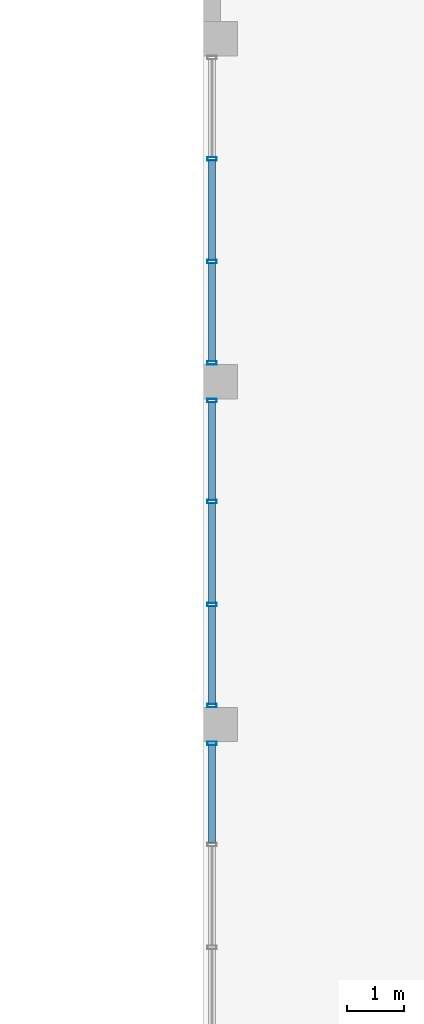
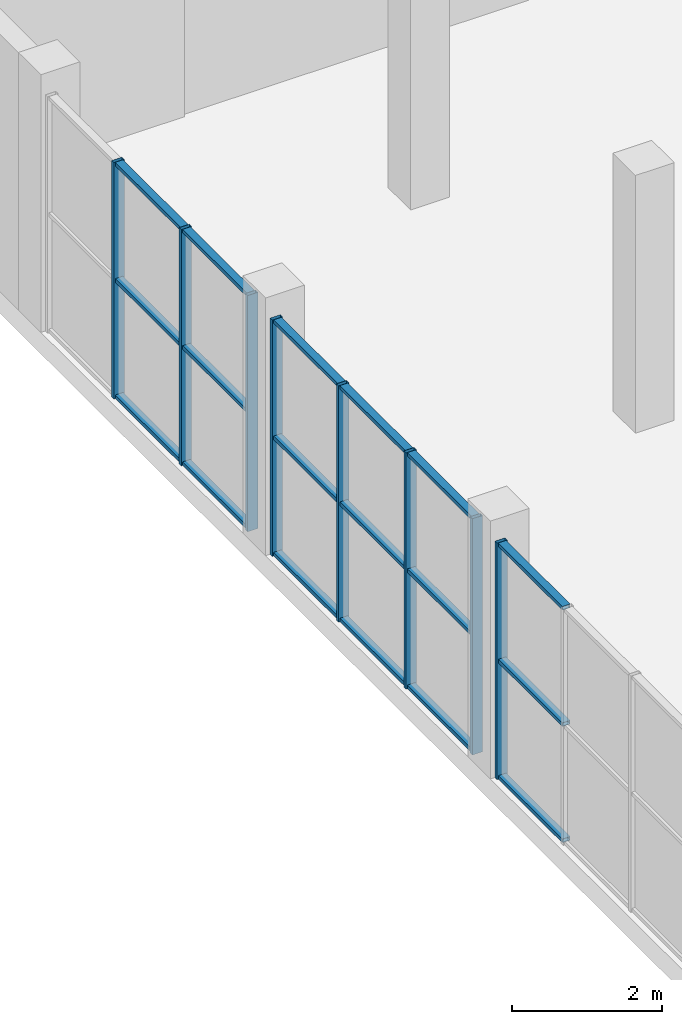
# One storey, part 8 of 45: 26 members, 3 elements without a shape of their own.
"""IFC4 building model written with IfcOpenShell, lengths in metres."""

from ifc_helpers import new_model, si_unit, direction, frame, origin, origin_2d, place, context, subcontext, project, spatial, hollow_rectangle, extrude, material, layer, layer_set, material_profile, profile_set, type_object, element, aggregate, save


model = new_model("IFC4")

# Units and contexts
model_context = context("Model", 3, precision=1e-05, world=origin(), true_north=direction((0.0, 1.0)))
body_context = subcontext(model_context, "Body", "Model", "MODEL_VIEW")
ifc_project = project(units=[si_unit("LENGTHUNIT", "METRE"), si_unit("AREAUNIT", "SQUARE_METRE"), si_unit("VOLUMEUNIT", "CUBIC_METRE"), si_unit("PLANEANGLEUNIT", "RADIAN"), si_unit("MASSUNIT", "GRAM", prefix="KILO")], contexts=[model_context])

# Site, building, storey
site_placement = place(None, origin())
site = spatial("IfcSite", under=ifc_project, at=site_placement, CompositionType="ELEMENT")
building_placement = place(site_placement, origin())
building = spatial("IfcBuilding", under=site, at=building_placement, Name="Nakaniwa Court", CompositionType="ELEMENT")
storey_placement = place(building_placement, frame((0.0, 0.0, 11.39990234375)))
storey = spatial("IfcBuildingStorey", under=building, at=storey_placement, Name="L02", CompositionType="ELEMENT", Elevation=11.39990234375)

# Curtain wall, member
ifc_material_1 = material(Name="Dark low-E laminated glass in black aluminium frame", Category="aluminium")
ifc_layer = layer(ifc_material_1, 0.159912109375)
ifc_layer_set = layer_set([ifc_layer], Name="Dark low-E laminated glass in black aluminium frame")
curtain_wall_type = type_object("IfcCurtainWallType", Name="Hall foyer curtain wall CW6", PredefinedType="NOTDEFINED", material=ifc_layer_set)
curtain_wall_1_placement = place(storey_placement, origin())
curtain_wall_1 = element("IfcCurtainWall", 1, at=curtain_wall_1_placement, inside=storey, type_object=curtain_wall_type, Name="Foyer curtain wall L02:004", PredefinedType="NOTDEFINED")
ifc_material_2 = material(Name="Extruded aluminium 6063-T6 black anodised", Category="aluminium")
ifc_material_profile_1 = material_profile(ifc_material_2, hollow_rectangle(XDim=0.159912109375, YDim=0.06005859375, WallThickness=0.0029296875, at=origin_2d()), Name="CW mullion 160x60")
ifc_profile_set_1 = profile_set([ifc_material_profile_1], Name="Extruded aluminium 6063-T6 black anodised")
member_type_1 = type_object("IfcMemberType", Name="Curtain wall mullion 160x60", PredefinedType="MULLION", material=ifc_profile_set_1)
member_1_placement = place(storey_placement, frame((152.14990234375, 79.669921875, 0.0), z_axis=(0.0, 0.0, 1.0), x_axis=(-1.0, 0.0, 0.0)))
member_1 = element("IfcMember", 2, at=member_1_placement, type_object=member_type_1, Name="HCW-06 mullion 4", PredefinedType="MULLION", context=body_context, shape_type="SweptSolid", body=[
    extrude(hollow_rectangle(XDim=0.159912109375, YDim=0.06005859375, WallThickness=0.0029296875, at=origin_2d()), origin(), (0.0, 0.0, 1.0), 3.85009765625),
])

# Curtain wall, members
curtain_wall_2_placement = place(storey_placement, origin())
curtain_wall_2 = element("IfcCurtainWall", 3, at=curtain_wall_2_placement, inside=storey, type_object=curtain_wall_type, Name="Foyer curtain wall L02:005", PredefinedType="NOTDEFINED")
member_2_placement = place(storey_placement, frame((152.14990234375, 80.330078125, 0.0), z_axis=(0.0, 0.0, 1.0), x_axis=(-1.0, 0.0, 0.0)))
member_2 = element("IfcMember", 4, at=member_2_placement, type_object=member_type_1, Name="HCW-07 mullion 1", PredefinedType="MULLION", context=body_context, shape_type="SweptSolid", body=[
    extrude(hollow_rectangle(XDim=0.159912109375, YDim=0.06005859375, WallThickness=0.0029296875, at=origin_2d()), origin(), (0.0, 0.0, 1.0), 3.85009765625),
])
member_3_placement = place(storey_placement, frame((152.14990234375, 82.10009765625, 0.0), z_axis=(0.0, 0.0, 1.0), x_axis=(-1.0, 0.0, 0.0)))
member_3 = element("IfcMember", 5, at=member_3_placement, type_object=member_type_1, Name="HCW-07 mullion 2", PredefinedType="MULLION", context=body_context, shape_type="SweptSolid", body=[
    extrude(hollow_rectangle(XDim=0.159912109375, YDim=0.06005859375, WallThickness=0.0029296875, at=origin_2d()), origin(), (0.0, 0.0, 1.0), 3.85009765625),
])
member_4_placement = place(storey_placement, frame((152.14990234375, 83.89990234375, 0.0), z_axis=(0.0, 0.0, 1.0), x_axis=(-1.0, 0.0, 0.0)))
member_4 = element("IfcMember", 6, at=member_4_placement, type_object=member_type_1, Name="HCW-07 mullion 3", PredefinedType="MULLION", context=body_context, shape_type="SweptSolid", body=[
    extrude(hollow_rectangle(XDim=0.159912109375, YDim=0.06005859375, WallThickness=0.0029296875, at=origin_2d()), origin(), (0.0, 0.0, 1.0), 3.85009765625),
])
member_5_placement = place(storey_placement, frame((152.14990234375, 85.669921875, 0.0), z_axis=(0.0, 0.0, 1.0), x_axis=(-1.0, 0.0, 0.0)))
member_5 = element("IfcMember", 7, at=member_5_placement, type_object=member_type_1, Name="HCW-07 mullion 4", PredefinedType="MULLION", context=body_context, shape_type="SweptSolid", body=[
    extrude(hollow_rectangle(XDim=0.159912109375, YDim=0.06005859375, WallThickness=0.0029296875, at=origin_2d()), origin(), (0.0, 0.0, 1.0), 3.85009765625),
])

curtain_wall_3_placement = place(storey_placement, origin())
curtain_wall_3 = element("IfcCurtainWall", 8, at=curtain_wall_3_placement, inside=storey, type_object=curtain_wall_type, Name="Foyer curtain wall L02:006", PredefinedType="NOTDEFINED")
member_6_placement = place(storey_placement, frame((152.14990234375, 86.330078125, 0.0), z_axis=(0.0, 0.0, 1.0), x_axis=(-1.0, 0.0, 0.0)))
member_6 = element("IfcMember", 9, at=member_6_placement, type_object=member_type_1, Name="HCW-08 mullion 1", PredefinedType="MULLION", context=body_context, shape_type="SweptSolid", body=[
    extrude(hollow_rectangle(XDim=0.159912109375, YDim=0.06005859375, WallThickness=0.0029296875, at=origin_2d()), origin(), (0.0, 0.0, 1.0), 3.85009765625),
])
member_7_placement = place(storey_placement, frame((152.14990234375, 88.10009765625, 0.0), z_axis=(0.0, 0.0, 1.0), x_axis=(-1.0, 0.0, 0.0)))
member_7 = element("IfcMember", 10, at=member_7_placement, type_object=member_type_1, Name="HCW-08 mullion 2", PredefinedType="MULLION", context=body_context, shape_type="SweptSolid", body=[
    extrude(hollow_rectangle(XDim=0.159912109375, YDim=0.06005859375, WallThickness=0.0029296875, at=origin_2d()), origin(), (0.0, 0.0, 1.0), 3.85009765625),
])
member_8_placement = place(storey_placement, frame((152.14990234375, 89.89990234375, 0.0), z_axis=(0.0, 0.0, 1.0), x_axis=(-1.0, 0.0, 0.0)))
member_8 = element("IfcMember", 11, at=member_8_placement, type_object=member_type_1, Name="HCW-08 mullion 3", PredefinedType="MULLION", context=body_context, shape_type="SweptSolid", body=[
    extrude(hollow_rectangle(XDim=0.159912109375, YDim=0.06005859375, WallThickness=0.0029296875, at=origin_2d()), origin(), (0.0, 0.0, 1.0), 3.85009765625),
])

# Member
ifc_material_profile_2 = material_profile(ifc_material_2, hollow_rectangle(XDim=0.1201171875, YDim=0.06005859375, WallThickness=0.0029296875, at=origin_2d()), Name="CW transom 120x60")
ifc_profile_set_2 = profile_set([ifc_material_profile_2], Name="Extruded aluminium 6063-T6 black anodised")
member_type_2 = type_object("IfcMemberType", Name="Curtain wall transom 120x60", PredefinedType="USERDEFINED", material=ifc_profile_set_2)
member_9_placement = place(storey_placement, frame((152.14990234375, 77.929931640625, 0.030029296875), z_axis=(0.0, 1.0, 0.0), x_axis=(-1.0, 0.0, 0.0)))
member_9 = element("IfcMember", 12, at=member_9_placement, type_object=member_type_2, Name="HCW-06 transom 3.1", ObjectType="TRANSOM", PredefinedType="USERDEFINED", context=body_context, shape_type="SweptSolid", body=[
    extrude(hollow_rectangle(XDim=0.1201171875, YDim=0.06005859375, WallThickness=0.0029296875, at=origin_2d()), origin(), (0.0, 0.0, 1.0), 1.7099609375),
])

member_10_placement = place(storey_placement, frame((152.14990234375, 77.929931640625, 1.925048828125), z_axis=(0.0, 1.0, 0.0), x_axis=(-1.0, 0.0, 0.0)))
member_10 = element("IfcMember", 13, at=member_10_placement, type_object=member_type_2, Name="HCW-06 transom 3.2", ObjectType="TRANSOM", PredefinedType="USERDEFINED", context=body_context, shape_type="SweptSolid", body=[
    extrude(hollow_rectangle(XDim=0.1201171875, YDim=0.06005859375, WallThickness=0.0029296875, at=origin_2d()), origin(), (0.0, 0.0, 1.0), 1.7099609375),
])

member_11_placement = place(storey_placement, frame((152.14990234375, 77.929931640625, 3.820068359375), z_axis=(0.0, 1.0, 0.0), x_axis=(-1.0, 0.0, 0.0)))
member_11 = element("IfcMember", 14, at=member_11_placement, type_object=member_type_2, Name="HCW-06 transom 3.3", ObjectType="TRANSOM", PredefinedType="USERDEFINED", context=body_context, shape_type="SweptSolid", body=[
    extrude(hollow_rectangle(XDim=0.1201171875, YDim=0.06005859375, WallThickness=0.0029296875, at=origin_2d()), origin(), (0.0, 0.0, 1.0), 1.7099609375),
])

aggregate(curtain_wall_1, [member_1, member_9, member_10, member_11])

member_12_placement = place(storey_placement, frame((152.14990234375, 80.360107421875, 0.030029296875), z_axis=(0.0, 1.0, 0.0), x_axis=(-1.0, 0.0, 0.0)))
member_12 = element("IfcMember", 15, at=member_12_placement, type_object=member_type_2, Name="HCW-07 transom 1.1", ObjectType="TRANSOM", PredefinedType="USERDEFINED", context=body_context, shape_type="SweptSolid", body=[
    extrude(hollow_rectangle(XDim=0.1201171875, YDim=0.06005859375, WallThickness=0.0029296875, at=origin_2d()), origin(), (0.0, 0.0, 1.0), 1.7099609375),
])

member_13_placement = place(storey_placement, frame((152.14990234375, 80.360107421875, 1.925048828125), z_axis=(0.0, 1.0, 0.0), x_axis=(-1.0, 0.0, 0.0)))
member_13 = element("IfcMember", 16, at=member_13_placement, type_object=member_type_2, Name="HCW-07 transom 1.2", ObjectType="TRANSOM", PredefinedType="USERDEFINED", context=body_context, shape_type="SweptSolid", body=[
    extrude(hollow_rectangle(XDim=0.1201171875, YDim=0.06005859375, WallThickness=0.0029296875, at=origin_2d()), origin(), (0.0, 0.0, 1.0), 1.7099609375),
])

member_14_placement = place(storey_placement, frame((152.14990234375, 80.360107421875, 3.820068359375), z_axis=(0.0, 1.0, 0.0), x_axis=(-1.0, 0.0, 0.0)))
member_14 = element("IfcMember", 17, at=member_14_placement, type_object=member_type_2, Name="HCW-07 transom 1.3", ObjectType="TRANSOM", PredefinedType="USERDEFINED", context=body_context, shape_type="SweptSolid", body=[
    extrude(hollow_rectangle(XDim=0.1201171875, YDim=0.06005859375, WallThickness=0.0029296875, at=origin_2d()), origin(), (0.0, 0.0, 1.0), 1.7099609375),
])

member_15_placement = place(storey_placement, frame((152.14990234375, 82.1298828125, 0.030029296875), z_axis=(0.0, 1.0, 0.0), x_axis=(-1.0, 0.0, 0.0)))
member_15 = element("IfcMember", 18, at=member_15_placement, type_object=member_type_2, Name="HCW-07 transom 2.1", ObjectType="TRANSOM", PredefinedType="USERDEFINED", context=body_context, shape_type="SweptSolid", body=[
    extrude(hollow_rectangle(XDim=0.1201171875, YDim=0.06005859375, WallThickness=0.0029296875, at=origin_2d()), origin(), (0.0, 0.0, 1.0), 1.740234375),
])

member_16_placement = place(storey_placement, frame((152.14990234375, 82.1298828125, 1.925048828125), z_axis=(0.0, 1.0, 0.0), x_axis=(-1.0, 0.0, 0.0)))
member_16 = element("IfcMember", 19, at=member_16_placement, type_object=member_type_2, Name="HCW-07 transom 2.2", ObjectType="TRANSOM", PredefinedType="USERDEFINED", context=body_context, shape_type="SweptSolid", body=[
    extrude(hollow_rectangle(XDim=0.1201171875, YDim=0.06005859375, WallThickness=0.0029296875, at=origin_2d()), origin(), (0.0, 0.0, 1.0), 1.740234375),
])

member_17_placement = place(storey_placement, frame((152.14990234375, 82.1298828125, 3.820068359375), z_axis=(0.0, 1.0, 0.0), x_axis=(-1.0, 0.0, 0.0)))
member_17 = element("IfcMember", 20, at=member_17_placement, type_object=member_type_2, Name="HCW-07 transom 2.3", ObjectType="TRANSOM", PredefinedType="USERDEFINED", context=body_context, shape_type="SweptSolid", body=[
    extrude(hollow_rectangle(XDim=0.1201171875, YDim=0.06005859375, WallThickness=0.0029296875, at=origin_2d()), origin(), (0.0, 0.0, 1.0), 1.740234375),
])

member_18_placement = place(storey_placement, frame((152.14990234375, 83.929931640625, 0.030029296875), z_axis=(0.0, 1.0, 0.0), x_axis=(-1.0, 0.0, 0.0)))
member_18 = element("IfcMember", 21, at=member_18_placement, type_object=member_type_2, Name="HCW-07 transom 3.1", ObjectType="TRANSOM", PredefinedType="USERDEFINED", context=body_context, shape_type="SweptSolid", body=[
    extrude(hollow_rectangle(XDim=0.1201171875, YDim=0.06005859375, WallThickness=0.0029296875, at=origin_2d()), origin(), (0.0, 0.0, 1.0), 1.7099609375),
])

member_19_placement = place(storey_placement, frame((152.14990234375, 83.929931640625, 1.925048828125), z_axis=(0.0, 1.0, 0.0), x_axis=(-1.0, 0.0, 0.0)))
member_19 = element("IfcMember", 22, at=member_19_placement, type_object=member_type_2, Name="HCW-07 transom 3.2", ObjectType="TRANSOM", PredefinedType="USERDEFINED", context=body_context, shape_type="SweptSolid", body=[
    extrude(hollow_rectangle(XDim=0.1201171875, YDim=0.06005859375, WallThickness=0.0029296875, at=origin_2d()), origin(), (0.0, 0.0, 1.0), 1.7099609375),
])

member_20_placement = place(storey_placement, frame((152.14990234375, 83.929931640625, 3.820068359375), z_axis=(0.0, 1.0, 0.0), x_axis=(-1.0, 0.0, 0.0)))
member_20 = element("IfcMember", 23, at=member_20_placement, type_object=member_type_2, Name="HCW-07 transom 3.3", ObjectType="TRANSOM", PredefinedType="USERDEFINED", context=body_context, shape_type="SweptSolid", body=[
    extrude(hollow_rectangle(XDim=0.1201171875, YDim=0.06005859375, WallThickness=0.0029296875, at=origin_2d()), origin(), (0.0, 0.0, 1.0), 1.7099609375),
])

aggregate(curtain_wall_2, [member_2, member_3, member_4, member_5, member_12, member_13, member_14, member_15, member_16, member_17, member_18, member_19, member_20])

member_21_placement = place(storey_placement, frame((152.14990234375, 86.360107421875, 0.030029296875), z_axis=(0.0, 1.0, 0.0), x_axis=(-1.0, 0.0, 0.0)))
member_21 = element("IfcMember", 24, at=member_21_placement, type_object=member_type_2, Name="HCW-08 transom 1.1", ObjectType="TRANSOM", PredefinedType="USERDEFINED", context=body_context, shape_type="SweptSolid", body=[
    extrude(hollow_rectangle(XDim=0.1201171875, YDim=0.06005859375, WallThickness=0.0029296875, at=origin_2d()), origin(), (0.0, 0.0, 1.0), 1.7099609375),
])

member_22_placement = place(storey_placement, frame((152.14990234375, 86.360107421875, 1.925048828125), z_axis=(0.0, 1.0, 0.0), x_axis=(-1.0, 0.0, 0.0)))
member_22 = element("IfcMember", 25, at=member_22_placement, type_object=member_type_2, Name="HCW-08 transom 1.2", ObjectType="TRANSOM", PredefinedType="USERDEFINED", context=body_context, shape_type="SweptSolid", body=[
    extrude(hollow_rectangle(XDim=0.1201171875, YDim=0.06005859375, WallThickness=0.0029296875, at=origin_2d()), origin(), (0.0, 0.0, 1.0), 1.7099609375),
])

member_23_placement = place(storey_placement, frame((152.14990234375, 86.360107421875, 3.820068359375), z_axis=(0.0, 1.0, 0.0), x_axis=(-1.0, 0.0, 0.0)))
member_23 = element("IfcMember", 26, at=member_23_placement, type_object=member_type_2, Name="HCW-08 transom 1.3", ObjectType="TRANSOM", PredefinedType="USERDEFINED", context=body_context, shape_type="SweptSolid", body=[
    extrude(hollow_rectangle(XDim=0.1201171875, YDim=0.06005859375, WallThickness=0.0029296875, at=origin_2d()), origin(), (0.0, 0.0, 1.0), 1.7099609375),
])

member_24_placement = place(storey_placement, frame((152.14990234375, 88.1298828125, 0.030029296875), z_axis=(0.0, 1.0, 0.0), x_axis=(-1.0, 0.0, 0.0)))
member_24 = element("IfcMember", 27, at=member_24_placement, type_object=member_type_2, Name="HCW-08 transom 2.1", ObjectType="TRANSOM", PredefinedType="USERDEFINED", context=body_context, shape_type="SweptSolid", body=[
    extrude(hollow_rectangle(XDim=0.1201171875, YDim=0.06005859375, WallThickness=0.0029296875, at=origin_2d()), origin(), (0.0, 0.0, 1.0), 1.740234375),
])

member_25_placement = place(storey_placement, frame((152.14990234375, 88.1298828125, 1.925048828125), z_axis=(0.0, 1.0, 0.0), x_axis=(-1.0, 0.0, 0.0)))
member_25 = element("IfcMember", 28, at=member_25_placement, type_object=member_type_2, Name="HCW-08 transom 2.2", ObjectType="TRANSOM", PredefinedType="USERDEFINED", context=body_context, shape_type="SweptSolid", body=[
    extrude(hollow_rectangle(XDim=0.1201171875, YDim=0.06005859375, WallThickness=0.0029296875, at=origin_2d()), origin(), (0.0, 0.0, 1.0), 1.740234375),
])

member_26_placement = place(storey_placement, frame((152.14990234375, 88.1298828125, 3.820068359375), z_axis=(0.0, 1.0, 0.0), x_axis=(-1.0, 0.0, 0.0)))
member_26 = element("IfcMember", 29, at=member_26_placement, type_object=member_type_2, Name="HCW-08 transom 2.3", ObjectType="TRANSOM", PredefinedType="USERDEFINED", context=body_context, shape_type="SweptSolid", body=[
    extrude(hollow_rectangle(XDim=0.1201171875, YDim=0.06005859375, WallThickness=0.0029296875, at=origin_2d()), origin(), (0.0, 0.0, 1.0), 1.740234375),
])

aggregate(curtain_wall_3, [member_6, member_7, member_8, member_21, member_22, member_23, member_24, member_25, member_26])

save(model, "model.ifc")
